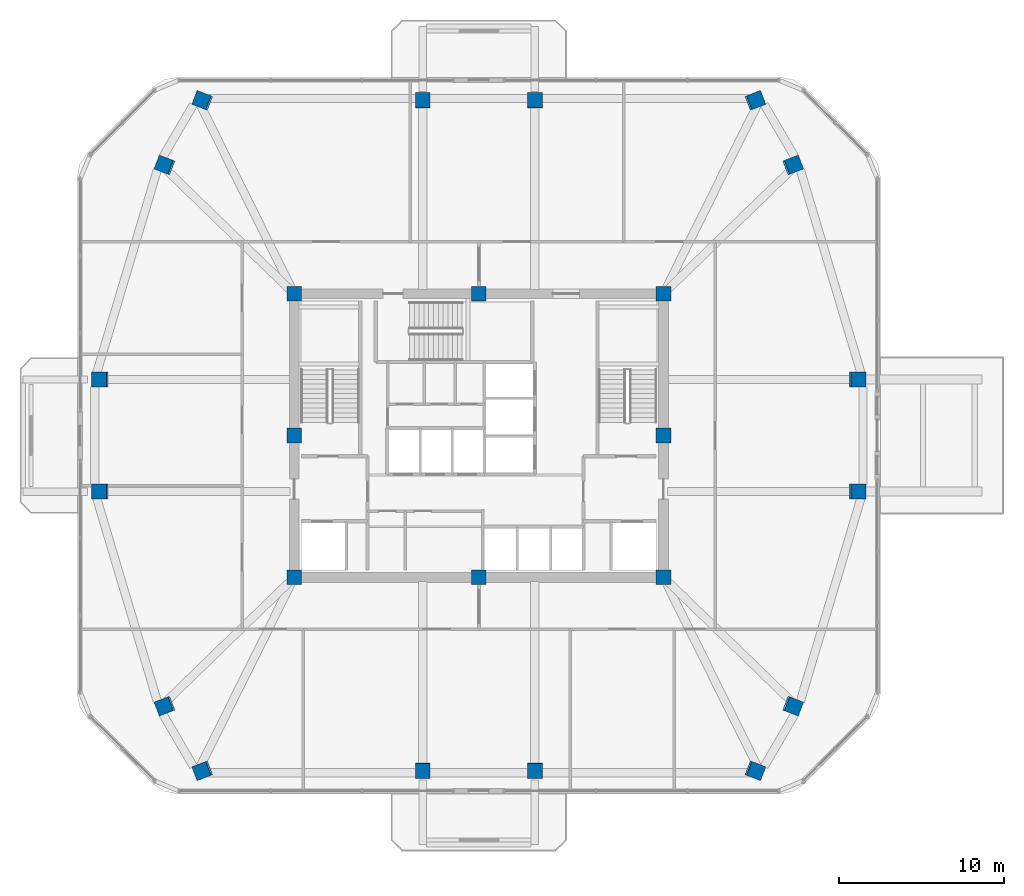
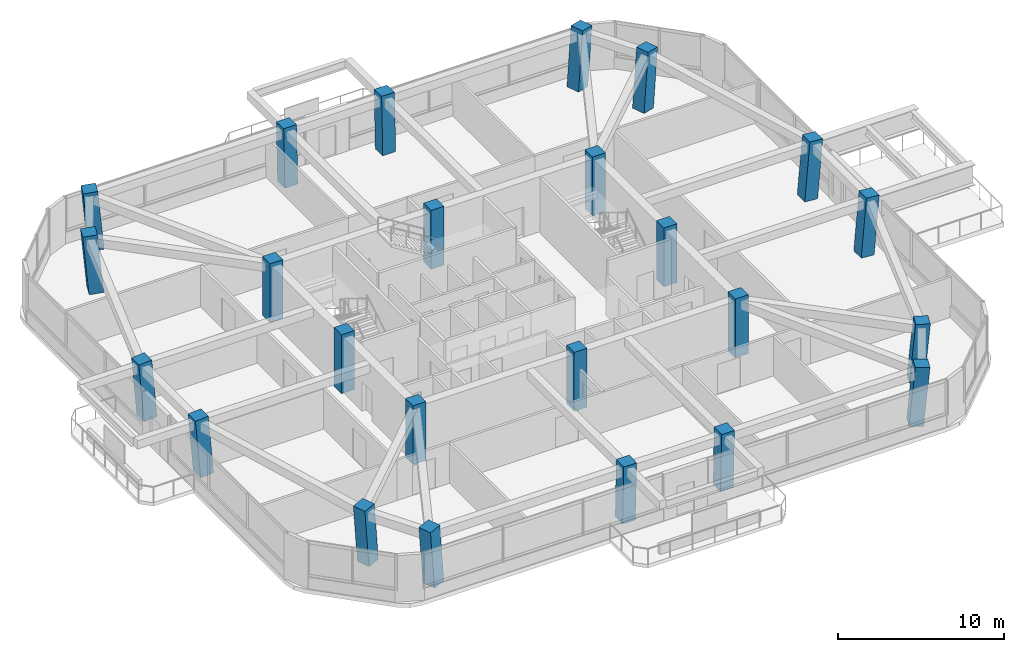
# One storey, part 1 of 13: 24 columns.
"""IFC4 building model written with IfcOpenShell, lengths in metres."""

import ifcopenshell
import ifcopenshell.guid

model = None  # the IFC model being written
_history = None  # IfcOwnerHistory: only IFC2X3 demands one
_inside = {}  # id of a spatial element -> (the spatial element, [elements in it])
_under = {}  # id of a project, library or spatial element -> (it, [spatial elements below it])
_declared = {}  # id of a project -> (the project, [libraries it declares])
_typed = {}  # id of a type object -> (the type object, [elements of that type])
_made_of = {}  # id of a material, layer set ... -> (it, [elements and type objects made of it])


def new_model(schema):
    """Start an empty IFC model of exactly this schema.

    Asked for "IFC4X3", IfcOpenShell would pick the latest addendum, in which some entities
    have other attributes; the version numbers below select the first issue.
    IFC2X3 requires an IfcOwnerHistory on every rooted entity: one is made here for all.
    """
    global model, _history
    if schema == "IFC4X3":
        model = ifcopenshell.file(schema_version=(4, 3, 0, 0))
    else:
        model = ifcopenshell.file(schema=schema)
    _inside.clear()
    _under.clear()
    _declared.clear()
    _typed.clear()
    _made_of.clear()
    _history = None
    if model.schema == "IFC2X3":
        org = make("IfcOrganization", Name="unknown")
        user = make(
            "IfcPersonAndOrganization",
            ThePerson=make("IfcPerson", FamilyName="unknown"),
            TheOrganization=org,
        )
        app = make(
            "IfcApplication",
            ApplicationDeveloper=org,
            Version="unknown",
            ApplicationFullName="unknown",
            ApplicationIdentifier="unknown",
        )
        _history = make(
            "IfcOwnerHistory",
            OwningUser=user,
            OwningApplication=app,
            ChangeAction="ADDED",
            CreationDate=0,
        )
    return model


def make(cls, **values):
    """One entity of the class cls with the attributes given. An attribute that is None is left unset."""
    return model.create_entity(
        cls, **{name: value for name, value in values.items() if value is not None}
    )


def rooted(cls, **values):
    """An entity with a GlobalId (a new one), such as an element, a storey or a relation."""
    return make(cls, GlobalId=ifcopenshell.guid.new(), OwnerHistory=_history, **values)


def si_unit(unit_type, name, prefix=None):
    """IfcSIUnit, for example si_unit("LENGTHUNIT", "METRE", prefix="MILLI")."""
    return make("IfcSIUnit", UnitType=unit_type, Prefix=prefix, Name=name)


def derived_unit(unit_type, elements):
    """IfcDerivedUnit: a product of units, each with its exponent."""
    return make(
        "IfcDerivedUnit",
        Elements=[
            make("IfcDerivedUnitElement", Unit=unit, Exponent=power)
            for unit, power in elements
        ],
        UnitType=unit_type,
    )


def assignment(units):
    """IfcUnitAssignment: the units of a project."""
    return None if units is None else make("IfcUnitAssignment", Units=units)


def point(xyz):
    """IfcCartesianPoint."""
    return None if xyz is None else make("IfcCartesianPoint", Coordinates=xyz)


def direction(xyz):
    """IfcDirection."""
    return None if xyz is None else make("IfcDirection", DirectionRatios=xyz)


def frame(location, z_axis=None, x_axis=None):
    """IfcAxis2Placement3D, a coordinate frame: its origin and axes. An axis left out is left unset."""
    return make(
        "IfcAxis2Placement3D",
        Location=point(location),
        Axis=direction(z_axis),
        RefDirection=direction(x_axis),
    )


def frame_2d(location, x_axis=None):
    """IfcAxis2Placement2D, a coordinate frame in the plane: its origin and x axis."""
    return make(
        "IfcAxis2Placement2D", Location=point(location), RefDirection=direction(x_axis)
    )


def origin():
    """The frame at (0, 0, 0) with its axes left unset."""
    return frame((0.0, 0.0, 0.0))


def origin_2d():
    """The frame at (0, 0) in the plane with its x axis left unset."""
    return frame_2d((0.0, 0.0))


def place(relative_to, where):
    """IfcLocalPlacement: puts the frame where relative to a parent placement (None: the world)."""
    return make(
        "IfcLocalPlacement", PlacementRelTo=relative_to, RelativePlacement=where
    )


def context(
    kind, dimensions, precision=None, world=None, true_north=None, identifier=None
):
    """IfcGeometricRepresentationContext, for example the 3D "Model" context."""
    return make(
        "IfcGeometricRepresentationContext",
        ContextIdentifier=identifier,
        ContextType=kind,
        CoordinateSpaceDimension=dimensions,
        Precision=precision,
        WorldCoordinateSystem=world,
        TrueNorth=true_north,
    )


def subcontext(parent, identifier, kind, view, scale=None):
    """IfcGeometricRepresentationSubContext, for example "Body" below "Model"."""
    return make(
        "IfcGeometricRepresentationSubContext",
        ContextIdentifier=identifier,
        ContextType=kind,
        ParentContext=parent,
        TargetScale=scale,
        TargetView=view,
    )


def project(units=None, contexts=None):
    """IfcProject with its units and contexts."""
    return rooted(
        "IfcProject",
        Name="project",
        RepresentationContexts=contexts,
        UnitsInContext=assignment(units),
    )


def spatial(cls, under=None, at=None, **own):
    """A site, building, storey or space (cls), placed at a placement, below another one or the project."""
    s = rooted(cls, ObjectPlacement=at, **own)
    if under is not None:
        _under.setdefault(under.id(), (under, []))[1].append(s)
    return s


def profile(cls, at=None, kind="AREA", **sizes):
    """A parametric profile (cls). Its sizes go by their IFC names, for example OverallWidth=200.0."""
    return make(cls, ProfileType=kind, Position=at, **sizes)


def rectangle(**sizes):
    """IfcRectangleProfileDef."""
    return profile("IfcRectangleProfileDef", **sizes)


def extrude(swept, where, along, depth):
    """IfcExtrudedAreaSolid: the profile swept, set in the frame where, extruded along a direction by depth."""
    return make(
        "IfcExtrudedAreaSolid",
        SweptArea=swept,
        Position=where,
        ExtrudedDirection=direction(along),
        Depth=depth,
    )


def shape(context_of_items, identifier, shape_type, items):
    """IfcShapeRepresentation: the items that make up one representation, for example the "Body"."""
    return make(
        "IfcShapeRepresentation",
        ContextOfItems=context_of_items,
        RepresentationIdentifier=identifier,
        RepresentationType=shape_type,
        Items=items,
    )


def material(Name=None, Category=None):
    """IfcMaterial."""
    return make("IfcMaterial", Name=Name, Category=Category)


def material_profile(
    of_material, cross_section, Name=None, Category=None, Priority=None
):
    """IfcMaterialProfile: a cross section and its material."""
    return make(
        "IfcMaterialProfile",
        Name=Name,
        Material=of_material,
        Profile=cross_section,
        Priority=Priority,
        Category=Category,
    )


def profile_set(profiles, Name=None, composite=None):
    """IfcMaterialProfileSet."""
    return make(
        "IfcMaterialProfileSet",
        Name=Name,
        MaterialProfiles=profiles,
        CompositeProfile=composite,
    )


def made_of(thing, what):
    """Note that an element or type object is made of a material, layer set ...; save() writes the relation."""
    if what is not None:
        _made_of.setdefault(what.id(), (what, []))[1].append(thing)
    return thing


def type_object(cls, material=None, **own):
    """A type object (cls), such as IfcWallType, which elements share."""
    return made_of(rooted(cls, **own), material)


def element(
    cls,
    number,
    at=None,
    inside=None,
    cuts=None,
    type_object=None,
    material=None,
    context=None,
    identifier="Body",
    shape_type=None,
    held_by="IfcProductDefinitionShape",
    body=None,
    shapes=None,
    **own,
):
    """One element of the class cls, such as IfcWall. Its Tag is "e" and its number.

    at: its placement. inside: the storey or other place that contains it. cuts: it is an
    opening in that element (IfcRelVoidsElement). A single representation is given by context,
    identifier, shape_type and body (its items); several are given by shapes. held_by: the class
    of the entity that holds the representations. save() writes the other relations.
    """
    e = rooted(cls, Tag="e%d" % number, ObjectPlacement=at, **own)
    if body is not None:
        shapes = [shape(context, identifier, shape_type, body)]
    if shapes is not None:
        e.Representation = make(held_by, Representations=shapes)
    if inside is not None:
        _inside.setdefault(inside.id(), (inside, []))[1].append(e)
    if cuts is not None:
        rooted(
            "IfcRelVoidsElement", RelatingBuildingElement=cuts, RelatedOpeningElement=e
        )
    if type_object is not None:
        _typed.setdefault(type_object.id(), (type_object, []))[1].append(e)
    return made_of(e, material)


def aggregate(whole, parts):
    """IfcRelAggregates: a whole, such as a stair, and the parts it consists of."""
    return rooted("IfcRelAggregates", RelatingObject=whole, RelatedObjects=parts)


def save(model, path):
    """Write the relations noted so far, then the file.

    IfcRelAggregates (storeys below a building ...), IfcRelContainedInSpatialStructure (elements
    in a storey), IfcRelDefinesByType, IfcRelAssociatesMaterial and IfcRelDeclares: one each for
    every whole, place, type object, material and project.
    """
    for whole, parts in _under.values():
        aggregate(whole, parts)
    for where, things in _inside.values():
        rooted(
            "IfcRelContainedInSpatialStructure",
            RelatedElements=things,
            RelatingStructure=where,
        )
    for kind, things in _typed.values():
        rooted("IfcRelDefinesByType", RelatedObjects=things, RelatingType=kind)
    for what, things in _made_of.values():
        rooted("IfcRelAssociatesMaterial", RelatedObjects=things, RelatingMaterial=what)
    for by, libraries in _declared.values():
        rooted("IfcRelDeclares", RelatingContext=by, RelatedDefinitions=libraries)
    model.write(path)


model = new_model("IFC4")

# Units and contexts
model_context = context("Model", 3, precision=1e-05, world=origin(), true_north=direction((0.0, 1.0)))
body_context = subcontext(model_context, "Body", "Model", "MODEL_VIEW")
ifc_project = project(units=[si_unit("LENGTHUNIT", "METRE"), si_unit("AREAUNIT", "SQUARE_METRE"), si_unit("VOLUMEUNIT", "CUBIC_METRE"), si_unit("PLANEANGLEUNIT", "RADIAN"), si_unit("MASSUNIT", "GRAM", prefix="KILO"), derived_unit("THERMALTRANSMITTANCEUNIT", [(si_unit("POWERUNIT", "WATT"), 1), (si_unit("LENGTHUNIT", "METRE"), -2), (si_unit("THERMODYNAMICTEMPERATUREUNIT", "KELVIN"), -1)])], contexts=[model_context])

# Site, building, storey
site_placement = place(None, origin())
site = spatial("IfcSite", under=ifc_project, at=site_placement, CompositionType="ELEMENT")
building_placement = place(site_placement, origin())
building = spatial("IfcBuilding", under=site, at=building_placement, Name="Koralith Skygarden Medical Center", CompositionType="ELEMENT")
storey_placement = place(building_placement, frame((0.0, 0.0, 188.4599609375)))
storey = spatial("IfcBuildingStorey", under=building, at=storey_placement, Name="L48", CompositionType="ELEMENT", Elevation=188.4599609375)

# Columns
ifc_material = material(Name="Concrete C55/67", Category="concrete")
ifc_material_profile_1 = material_profile(ifc_material, rectangle(XDim=0.89990234375, YDim=0.89990234375, at=origin_2d()), Name="RC900X900")
ifc_profile_set_1 = profile_set([ifc_material_profile_1], Name="Concrete C55/67")
column_type_1 = type_object("IfcColumnType", Name="Core Column C55 RC900", PredefinedType="COLUMN", material=ifc_profile_set_1)
for number, where, z_axis, x_axis, name in (
    (1, (25.800048828125, 17.300048828125, 0.0), (0.0, 0.0, 1.0), (1.0, 0.0, 0.0), "L48 Core Column CC-01"),
    (2, (37.0, 17.300048828125, 0.0), (0.0, 0.0, 1.0), (1.0, 0.0, 0.0), "L48 Core Column CC-02"),
    (3, (48.199951171875, 17.300048828125, 0.0), (0.0, 0.0, 1.0), (1.0, 0.0, 0.0), "L48 Core Column CC-03"),
    (4, (48.199951171875, 25.89990234375, 0.0), (0.0, 0.0, 1.0), (1.0, 0.0, 0.0), "L48 Core Column CC-04"),
    (5, (48.199951171875, 34.5, 0.0), (0.0, 0.0, 1.0), (1.0, 0.0, 0.0), "L48 Core Column CC-05"),
    (6, (37.0, 34.5, 0.0), (0.0, 0.0, 1.0), (1.0, 0.0, 0.0), "L48 Core Column CC-06"),
    (7, (25.800048828125, 34.5, 0.0), (0.0, 0.0, 1.0), (1.0, 0.0, 0.0), "L48 Core Column CC-07"),
    (8, (25.800048828125, 25.89990234375, 0.0), (0.0, 0.0, 1.0), (1.0, 0.0, 0.0), "L48 Core Column CC-08"),
):
    element("IfcColumn", number, at=place(storey_placement, frame(where, z_axis=z_axis, x_axis=x_axis)), inside=storey, type_object=column_type_1, Name=name, PredefinedType="COLUMN", context=body_context, shape_type="SweptSolid", body=[
        extrude(rectangle(XDim=0.89990234375, YDim=0.89990234375, at=origin_2d()), origin(), (0.0, 0.0, 1.0), 4.320068359375),
    ])
ifc_material_profile_2 = material_profile(ifc_material, rectangle(XDim=0.89990234375, YDim=0.89990234375, at=origin_2d()), Name="RC900X900")
ifc_profile_set_2 = profile_set([ifc_material_profile_2], Name="Concrete C55/67")
column_type_2 = type_object("IfcColumnType", Name="Zone 4 Flare Mega-Column C55 RC900", PredefinedType="COLUMN", material=ifc_profile_set_2)
column_1_placement = place(storey_placement, frame((14.05908203125, 22.5, 0.02099609375), z_axis=(-0.084330157964, 0.0, 0.996437867836), x_axis=(0.0, -1.0, 0.0)))
element("IfcColumn", 9, at=column_1_placement, inside=storey, type_object=column_type_2, Name="L48 Perimeter Mega-Column MC-01", PredefinedType="COLUMN", context=body_context, shape_type="SweptSolid", body=[
    extrude(rectangle(XDim=0.89990234375, YDim=0.89990234375, at=origin_2d()), origin(), (0.0, 0.0, 1.0), 4.29345703125),
])
for number, where, z_axis, x_axis, name in (
    (10, (17.97998046875, 9.5048828125, 0.02099609375), (-0.08451176745, -0.032338396556, 0.995897579709), (0.357379206993, -0.933959368714, 0.0), "L48 Perimeter Mega-Column MC-02"),
    (11, (20.27099609375, 5.583984375, 0.02099609375), (-0.08451176745, -0.032338396556, 0.995897579709), (0.357379206993, -0.933959368714, 0.0), "L48 Perimeter Mega-Column MC-03"),
):
    element("IfcColumn", number, at=place(storey_placement, frame(where, z_axis=z_axis, x_axis=x_axis)), inside=storey, type_object=column_type_2, Name=name, PredefinedType="COLUMN", context=body_context, shape_type="SweptSolid", body=[
        extrude(rectangle(XDim=0.89990234375, YDim=0.89990234375, at=origin_2d()), origin(), (0.0, 0.0, 1.0), 4.295654296875),
    ])
for number, where, z_axis, x_axis, name in (
    (12, (33.60009765625, 5.583984375, 0.02099609375), (0.0, -0.032454503149, 0.999473213861), (1.0, 0.0, 0.0), "L48 Perimeter Mega-Column MC-04"),
    (13, (40.39990234375, 5.583984375, 0.02099609375), (0.0, -0.032454503149, 0.999473213861), (1.0, 0.0, 0.0), "L48 Perimeter Mega-Column MC-05"),
):
    element("IfcColumn", number, at=place(storey_placement, frame(where, z_axis=z_axis, x_axis=x_axis)), inside=storey, type_object=column_type_2, Name=name, PredefinedType="COLUMN", context=body_context, shape_type="SweptSolid", body=[
        extrude(rectangle(XDim=0.89990234375, YDim=0.89990234375, at=origin_2d()), origin(), (0.0, 0.0, 1.0), 4.2802734375),
    ])
for number, where, z_axis, x_axis, name in (
    (14, (53.72900390625, 5.583984375, 0.02099609375), (0.08451176745, -0.032338396556, 0.995897579709), (0.357379206993, 0.933959368714, 0.0), "L48 Perimeter Mega-Column MC-06"),
    (15, (56.02001953125, 9.5048828125, 0.02099609375), (0.08451176745, -0.032338396556, 0.995897579709), (0.357379206993, 0.933959368714, 0.0), "L48 Perimeter Mega-Column MC-07"),
):
    element("IfcColumn", number, at=place(storey_placement, frame(where, z_axis=z_axis, x_axis=x_axis)), inside=storey, type_object=column_type_2, Name=name, PredefinedType="COLUMN", context=body_context, shape_type="SweptSolid", body=[
        extrude(rectangle(XDim=0.89990234375, YDim=0.89990234375, at=origin_2d()), origin(), (0.0, 0.0, 1.0), 4.295654296875),
    ])
for number, where, z_axis, x_axis, name in (
    (16, (59.94091796875, 22.5, 0.02099609375), (0.084330157964, 0.0, 0.996437867836), (0.0, 1.0, 0.0), "L48 Perimeter Mega-Column MC-08"),
    (17, (59.94091796875, 29.300048828125, 0.02099609375), (0.084330157964, 0.0, 0.996437867836), (0.0, 1.0, 0.0), "L48 Perimeter Mega-Column MC-09"),
):
    element("IfcColumn", number, at=place(storey_placement, frame(where, z_axis=z_axis, x_axis=x_axis)), inside=storey, type_object=column_type_2, Name=name, PredefinedType="COLUMN", context=body_context, shape_type="SweptSolid", body=[
        extrude(rectangle(XDim=0.89990234375, YDim=0.89990234375, at=origin_2d()), origin(), (0.0, 0.0, 1.0), 4.29345703125),
    ])
for number, where, z_axis, x_axis, name in (
    (18, (56.02001953125, 42.294921875, 0.02099609375), (0.084511611989, 0.032395170702, 0.995895747734), (-0.357926886763, 0.933749615117, 0.0), "L48 Perimeter Mega-Column MC-10"),
    (19, (53.72900390625, 46.215087890625, 0.02099609375), (0.084511143972, 0.032565491255, 0.995890232568), (-0.359567710185, 0.933118996588, 0.0), "L48 Perimeter Mega-Column MC-11"),
):
    element("IfcColumn", number, at=place(storey_placement, frame(where, z_axis=z_axis, x_axis=x_axis)), inside=storey, type_object=column_type_2, Name=name, PredefinedType="COLUMN", context=body_context, shape_type="SweptSolid", body=[
        extrude(rectangle(XDim=0.89990234375, YDim=0.89990234375, at=origin_2d()), origin(), (0.0, 0.0, 1.0), 4.295654296875),
    ])
for number, where, z_axis, x_axis, name in (
    (20, (40.39990234375, 46.215087890625, 0.02099609375), (0.0, 0.032682411466, 0.999465787299), (-1.0, 0.0, 0.0), "L48 Perimeter Mega-Column MC-12"),
    (21, (33.60009765625, 46.215087890625, 0.02099609375), (0.0, 0.032682411466, 0.999465787299), (-1.0, 0.0, 0.0), "L48 Perimeter Mega-Column MC-13"),
):
    element("IfcColumn", number, at=place(storey_placement, frame(where, z_axis=z_axis, x_axis=x_axis)), inside=storey, type_object=column_type_2, Name=name, PredefinedType="COLUMN", context=body_context, shape_type="SweptSolid", body=[
        extrude(rectangle(XDim=0.89990234375, YDim=0.89990234375, at=origin_2d()), origin(), (0.0, 0.0, 1.0), 4.2802734375),
    ])
for number, where, z_axis, x_axis, name in (
    (22, (20.27099609375, 46.215087890625, 0.02099609375), (-0.084511143972, 0.032565491255, 0.995890232568), (-0.359567710185, -0.933118996588, 0.0), "L48 Perimeter Mega-Column MC-14"),
    (23, (17.97998046875, 42.294921875, 0.02099609375), (-0.084511611989, 0.032395170702, 0.995895747734), (-0.357926886763, -0.933749615117, 0.0), "L48 Perimeter Mega-Column MC-15"),
):
    element("IfcColumn", number, at=place(storey_placement, frame(where, z_axis=z_axis, x_axis=x_axis)), inside=storey, type_object=column_type_2, Name=name, PredefinedType="COLUMN", context=body_context, shape_type="SweptSolid", body=[
        extrude(rectangle(XDim=0.89990234375, YDim=0.89990234375, at=origin_2d()), origin(), (0.0, 0.0, 1.0), 4.295654296875),
    ])
column_2_placement = place(storey_placement, frame((14.05908203125, 29.300048828125, 0.02099609375), z_axis=(-0.084330157964, 0.0, 0.996437867836), x_axis=(0.0, -1.0, 0.0)))
element("IfcColumn", 24, at=column_2_placement, inside=storey, type_object=column_type_2, Name="L48 Perimeter Mega-Column MC-16", PredefinedType="COLUMN", context=body_context, shape_type="SweptSolid", body=[
    extrude(rectangle(XDim=0.89990234375, YDim=0.89990234375, at=origin_2d()), origin(), (0.0, 0.0, 1.0), 4.29345703125),
])

save(model, "model.ifc")
